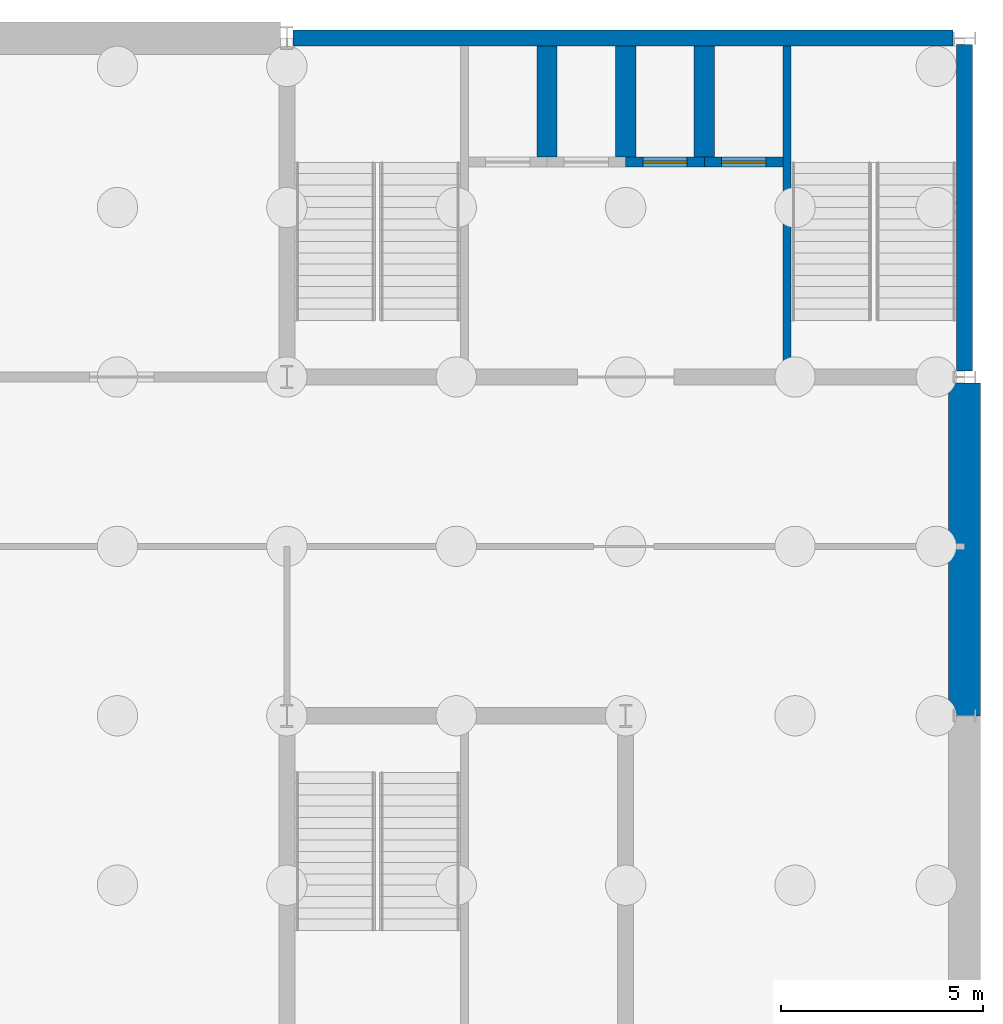
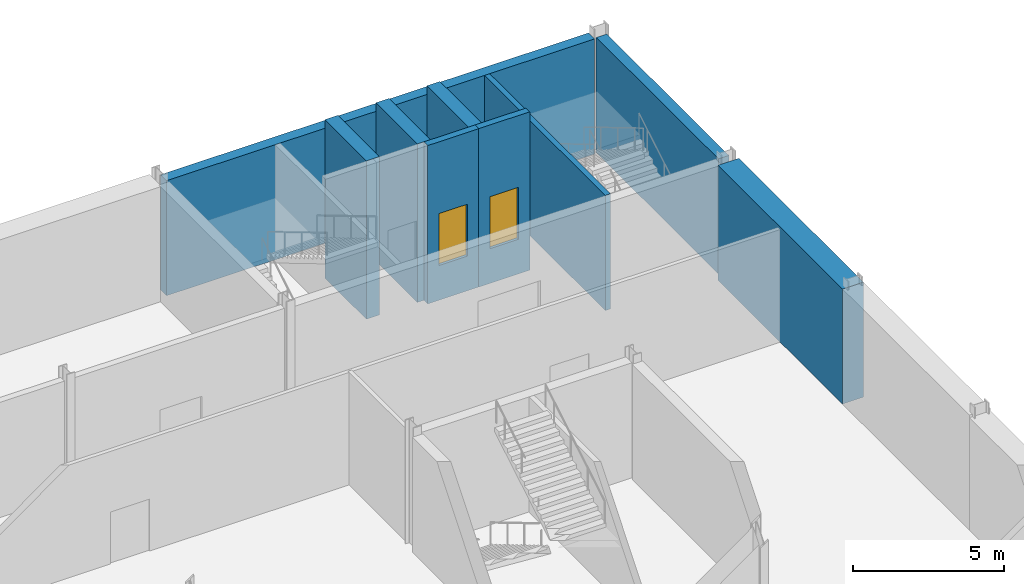
# One storey, part 19 of 22: 9 walls, 2 doors, 2 openings.
"""IFC4 building model written with IfcOpenShell, lengths in metres."""

from ifc_helpers import new_model, si_unit, direction, frame, frame_2d, origin, place, context, subcontext, project, spatial, rectangle, extrude, material, layer, layer_set, type_object, element, fill, save


model = new_model("IFC4")

# Units and contexts
model_context = context("Model", 3, precision=1e-05, world=origin(), true_north=direction((0.0, 1.0)))
body_context = subcontext(model_context, "Body", "Model", "MODEL_VIEW")
ifc_project = project(units=[si_unit("LENGTHUNIT", "METRE"), si_unit("AREAUNIT", "SQUARE_METRE"), si_unit("VOLUMEUNIT", "CUBIC_METRE"), si_unit("PLANEANGLEUNIT", "RADIAN"), si_unit("MASSUNIT", "GRAM", prefix="KILO")], contexts=[model_context])

# Site, building, storey
site_placement = place(None, origin())
site = spatial("IfcSite", under=ifc_project, at=site_placement, CompositionType="ELEMENT")
building_placement = place(site_placement, origin())
building = spatial("IfcBuilding", under=site, at=building_placement, Name="Galleria Vessillo Department Store", CompositionType="ELEMENT")
storey_placement = place(building_placement, frame((0.0, 0.0, -9.89990234375)))
storey = spatial("IfcBuildingStorey", under=building, at=storey_placement, Name="B2", CompositionType="ELEMENT", Elevation=-9.89990234375)

# Walls
ifc_material_1 = material(Name="Concrete C32/40 reinforced", Category="concrete")
ifc_layer_1 = layer(ifc_material_1, 0.800048828125)
ifc_layer_set_1 = layer_set([ifc_layer_1], Name="Concrete C32/40 reinforced")
wall_type_1 = type_object("IfcWallType", Name="Diaphragm wall 800 mm", PredefinedType="SOLIDWALL", material=ifc_layer_set_1)
wall_1_placement = place(storey_placement, frame((117.60009765625, 46.199951171875, 0.0), z_axis=(0.0, 0.0, 1.0), x_axis=(0.0, 1.0, 0.0)))
element("IfcWall", 1, at=wall_1_placement, inside=storey, type_object=wall_type_1, Name="S-BW-E-B2-05", PredefinedType="SOLIDWALL", context=body_context, shape_type="SweptSolid", body=[
    extrude(rectangle(XDim=8.2470703125, YDim=0.800048828125, at=frame_2d((4.12353515625, 0.0))), origin(), (0.0, 0.0, 1.0), 4.64990234375),
])
ifc_material_2 = material(Name="Solid clay block masonry", Category="masonry")
ifc_layer_2 = layer(ifc_material_2, 0.5)
ifc_layer_set_2 = layer_set([ifc_layer_2], Name="Solid clay block masonry")
wall_type_2 = type_object("IfcWallType", Name="Lift shaft partition wall 500 mm", PredefinedType="SOLIDWALL", material=ifc_layer_set_2)
for number, where, z_axis, x_axis, name in (
    (2, (107.25, 62.800048828125, -1.400146484375), (0.0, 0.0, 1.0), (0.0, -1.0, 0.0), "Lift shaft partition wall T1 B2"),
    (3, (109.199951171875, 62.800048828125, -1.400146484375), (0.0, 0.0, 1.0), (0.0, -1.0, 0.0), "Lift shaft partition wall T2 B2"),
    (4, (111.14990234375, 62.800048828125, -1.400146484375), (0.0, 0.0, 1.0), (0.0, -1.0, 0.0), "Lift shaft partition wall T3 B2"),
):
    element("IfcWall", number, at=place(storey_placement, frame(where, z_axis=z_axis, x_axis=x_axis)), inside=storey, type_object=wall_type_2, Name=name, PredefinedType="SOLIDWALL", context=body_context, shape_type="SweptSolid", body=[
        extrude(rectangle(XDim=2.75, YDim=0.5, at=frame_2d((1.375, 0.0))), origin(), (0.0, 0.0, 1.0), 6.400146484375),
    ])

# Wall, opening, door
ifc_material_3 = material(Name="Solid clay block masonry", Category="masonry")
ifc_layer_3 = layer(ifc_material_3, 0.25)
ifc_layer_set_3 = layer_set([ifc_layer_3], Name="Solid clay block masonry")
wall_type_3 = type_object("IfcWallType", Name="Lift shaft wall 250 mm", PredefinedType="SOLIDWALL", material=ifc_layer_set_3)
wall_2_placement = place(storey_placement, frame((109.199951171875, 59.925048828125, -1.400146484375), z_axis=(0.0, 0.0, 1.0), x_axis=(1.0, 0.0, 0.0)))
wall_2 = element("IfcWall", 5, at=wall_2_placement, inside=storey, type_object=wall_type_3, Name="Lift shaft wall T3 landing side B2", PredefinedType="SOLIDWALL", context=body_context, shape_type="SweptSolid", body=[
    extrude(rectangle(XDim=1.949951171875, YDim=0.25, at=frame_2d((0.97509765625, 0.0))), origin(), (0.0, 0.0, 1.0), 6.400146484375),
])
opening_1_placement = place(wall_2_placement, frame((0.425048828125, 0.0, 1.400146484375)))
opening_1 = element("IfcOpeningElement", 6, at=opening_1_placement, cuts=wall_2, Name="Opening LD067", PredefinedType="OPENING", context=body_context, shape_type="SweptSolid", body=[
    extrude(rectangle(XDim=1.10009765625, YDim=2.10009765625, at=frame_2d((0.550048828125, 1.050048828125))), frame((0.0, 0.135009765625, 0.0), z_axis=(0.0, -1.0, 0.0), x_axis=(1.0, 0.0, 0.0)), (0.0, 0.0, 1.0), 0.27001953125),
])
ifc_material_4 = material(Name="Stainless steel lift door panel", Category="steel")
door_type = type_object("IfcDoorType", Name="Lift landing door LD110 sliding 1100 x 2100", OperationType="SLIDING_TO_LEFT", PredefinedType="DOOR", material=ifc_material_4)
door_1_placement = place(opening_1_placement, frame((1.10009765625, 0.0, 0.0), z_axis=(0.0, 0.0, 1.0), x_axis=(-1.0, 0.0, 0.0)))
door_1 = element("IfcDoor", 7, at=door_1_placement, inside=storey, type_object=door_type, Name="Lift landing door T3 B2", OperationType="SLIDING_TO_RIGHT", OverallHeight=2.10009765625, OverallWidth=1.10009765625, PredefinedType="DOOR", context=body_context, shape_type="SweptSolid", body=[
    extrude(rectangle(XDim=1.10009765625, YDim=2.10009765625, at=frame_2d((0.550048828125, 1.050048828125))), frame((0.0, 0.02490234375, 0.0), z_axis=(0.0, -1.0, 0.0), x_axis=(1.0, 0.0, 0.0)), (0.0, 0.0, 1.0), 0.050048828125),
])
fill(opening_1, door_1)

wall_3_placement = place(storey_placement, frame((111.14990234375, 59.925048828125, -1.400146484375), z_axis=(0.0, 0.0, 1.0), x_axis=(1.0, 0.0, 0.0)))
wall_3 = element("IfcWall", 8, at=wall_3_placement, inside=storey, type_object=wall_type_3, Name="Lift shaft wall T4 landing side B2", PredefinedType="SOLIDWALL", context=body_context, shape_type="SweptSolid", body=[
    extrude(rectangle(XDim=1.9501953125, YDim=0.25, at=frame_2d((0.97509765625, 0.0))), origin(), (0.0, 0.0, 1.0), 6.400146484375),
])
opening_2_placement = place(wall_3_placement, frame((0.425048828125, 0.0, 1.400146484375)))
opening_2 = element("IfcOpeningElement", 9, at=opening_2_placement, cuts=wall_3, Name="Opening LD068", PredefinedType="OPENING", context=body_context, shape_type="SweptSolid", body=[
    extrude(rectangle(XDim=1.10009765625, YDim=2.10009765625, at=frame_2d((0.550048828125, 1.050048828125))), frame((0.0, 0.135009765625, 0.0), z_axis=(0.0, -1.0, 0.0), x_axis=(1.0, 0.0, 0.0)), (0.0, 0.0, 1.0), 0.27001953125),
])
door_2_placement = place(opening_2_placement, frame((1.10009765625, 0.0, 0.0), z_axis=(0.0, 0.0, 1.0), x_axis=(-1.0, 0.0, 0.0)))
door_2 = element("IfcDoor", 10, at=door_2_placement, inside=storey, type_object=door_type, Name="Lift landing door T4 B2", OperationType="SLIDING_TO_LEFT", OverallHeight=2.10009765625, OverallWidth=1.10009765625, PredefinedType="DOOR", context=body_context, shape_type="SweptSolid", body=[
    extrude(rectangle(XDim=1.10009765625, YDim=2.10009765625, at=frame_2d((0.550048828125, 1.050048828125))), frame((0.0, 0.02490234375, 0.0), z_axis=(0.0, -1.0, 0.0), x_axis=(1.0, 0.0, 0.0)), (0.0, 0.0, 1.0), 0.050048828125),
])
fill(opening_2, door_2)

# Walls
ifc_material_5 = material(Name="Concrete C32/40 reinforced", Category="concrete")
ifc_layer_4 = layer(ifc_material_5, 0.39990234375)
ifc_layer_set_4 = layer_set([ifc_layer_4], Name="Concrete C32/40 reinforced")
wall_type_4 = type_object("IfcWallType", Name="Reinforced concrete core wall 400 mm, external", PredefinedType="SHEAR", material=ifc_layer_set_4)
wall_4_placement = place(storey_placement, frame((100.953125, 63.0, 0.0), z_axis=(0.0, 0.0, 1.0), x_axis=(1.0, 0.0, 0.0)))
element("IfcWall", 11, at=wall_4_placement, inside=storey, type_object=wall_type_4, Name="S-CW-TC-PARTY-B2", PredefinedType="SHEAR", context=body_context, shape_type="SweptSolid", body=[
    extrude(rectangle(XDim=16.361083984375, YDim=0.39990234375, at=frame_2d((8.1806640625, 0.0))), origin(), (0.0, 0.0, 1.0), 4.64990234375),
])
wall_5_placement = place(storey_placement, frame((117.60009765625, 54.753173828125, 0.0), z_axis=(0.0, 0.0, 1.0), x_axis=(0.0, 1.0, 0.0)))
element("IfcWall", 12, at=wall_5_placement, inside=storey, type_object=wall_type_4, Name="S-CW-TC-EAST-B2", PredefinedType="SHEAR", context=body_context, shape_type="SweptSolid", body=[
    extrude(rectangle(XDim=8.09375, YDim=0.39990234375, at=frame_2d((4.046875, 0.0))), origin(), (0.0, 0.0, 1.0), 4.64990234375),
])
ifc_material_6 = material(Name="Concrete C32/40 reinforced", Category="concrete")
ifc_layer_5 = layer(ifc_material_6, 0.199951171875)
ifc_layer_set_5 = layer_set([ifc_layer_5], Name="Concrete C32/40 reinforced")
wall_type_5 = type_object("IfcWallType", Name="Reinforced concrete stair enclosure wall 200 mm", PredefinedType="SHEAR", material=ifc_layer_set_5)
wall_6_placement = place(storey_placement, frame((113.199951171875, 62.800048828125, 0.0), z_axis=(0.0, 0.0, 1.0), x_axis=(0.0, -1.0, 0.0)))
element("IfcWall", 13, at=wall_6_placement, inside=storey, type_object=wall_type_5, Name="Stair enclosure wall TC B2", PredefinedType="SHEAR", context=body_context, shape_type="SweptSolid", body=[
    extrude(rectangle(XDim=8.0, YDim=0.199951171875, at=frame_2d((4.0, 0.0))), origin(), (0.0, 0.0, 1.0), 4.64990234375),
])

save(model, "model.ifc")
